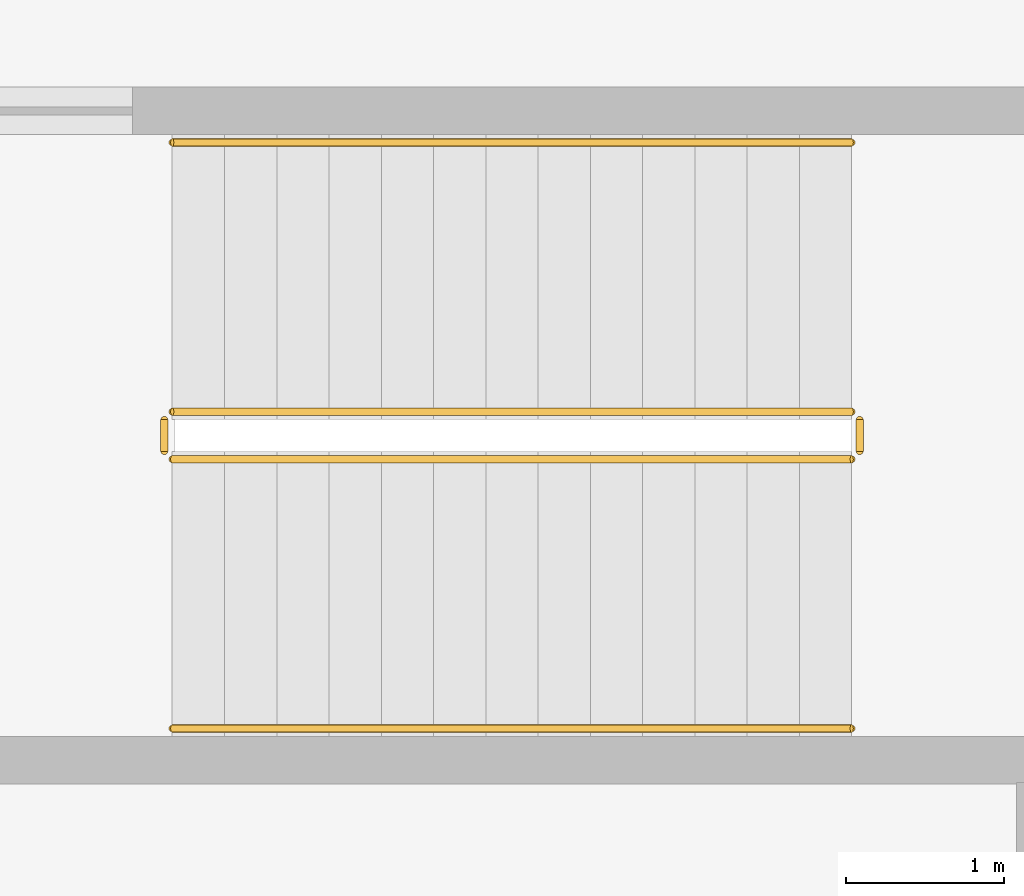
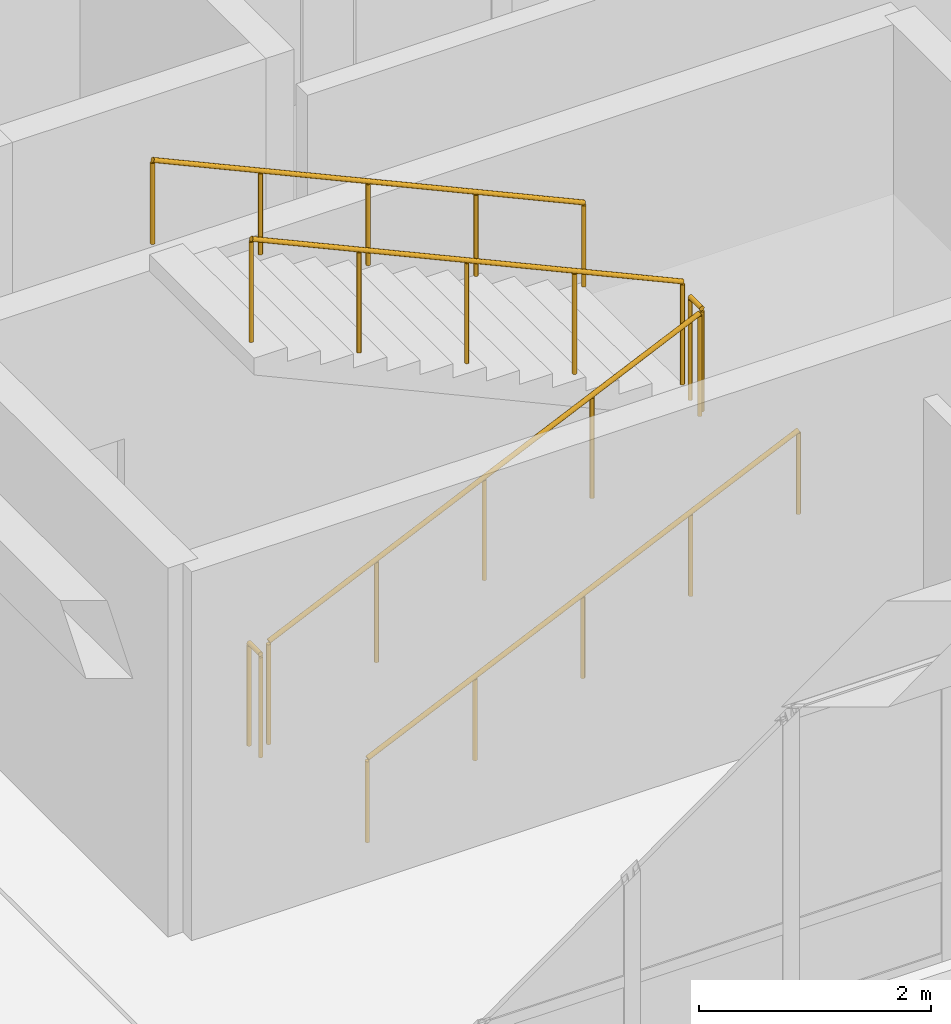
# One storey, part 89 of 89: 6 railings.
"""IFC4 building model written with IfcOpenShell, lengths in metres."""

from ifc_helpers import new_model, si_unit, direction, frame, origin, origin_2d, place, context, subcontext, project, spatial, circle, extrude, material, layer, layer_set, type_object, element, save


model = new_model("IFC4")

# Units and contexts
model_context = context("Model", 3, precision=1e-05, world=origin(), true_north=direction((0.0, 1.0)))
body_context = subcontext(model_context, "Body", "Model", "MODEL_VIEW")
ifc_project = project(units=[si_unit("LENGTHUNIT", "METRE"), si_unit("AREAUNIT", "SQUARE_METRE"), si_unit("VOLUMEUNIT", "CUBIC_METRE"), si_unit("PLANEANGLEUNIT", "RADIAN"), si_unit("MASSUNIT", "GRAM", prefix="KILO")], contexts=[model_context])

# Site, building, storey
site_placement = place(None, origin())
site = spatial("IfcSite", under=ifc_project, at=site_placement, CompositionType="ELEMENT")
building_placement = place(site_placement, origin())
building = spatial("IfcBuilding", under=site, at=building_placement, Name="Malvenik Polytechnic", CompositionType="ELEMENT")
storey_placement = place(building_placement, frame((0.0, 0.0, 13.5)))
storey = spatial("IfcBuildingStorey", under=building, at=storey_placement, Name="L03", CompositionType="ELEMENT", Elevation=13.5)

# Railings
ifc_material_1 = material(Name="Painted galvanised steel stair well balustrade 1100mm", Category="steel")
ifc_layer_1 = layer(ifc_material_1, 0.050048828125)
ifc_layer_set_1 = layer_set([ifc_layer_1], Name="Painted galvanised steel stair well balustrade 1100mm")
railing_type_1 = type_object("IfcRailingType", Name="ARC-RL-STGD", PredefinedType="BALUSTRADE", material=ifc_layer_set_1)
railing_1_placement = place(storey_placement, frame((95.39990234375, 120.89990234375, 0.14990234375)))
element("IfcRailing", 1, at=railing_1_placement, inside=storey, type_object=railing_type_1, Name="L03 ST-03 stair guard 1", PredefinedType="BALUSTRADE", context=body_context, shape_type="SweptSolid", body=[
    extrude(circle(Radius=0.02392578125, at=origin_2d()), frame((0.0, 0.0, 1.076171875), z_axis=(0.910352283233, 0.0, 0.413834170184), x_axis=(0.0, 1.0, 0.0)), (0.0, 0.0, 1.0), 4.71240234375),
    extrude(circle(Radius=0.02099609375, at=origin_2d()), origin(), (0.0, 0.0, 1.0), 1.052001953125),
    extrude(circle(Radius=0.02099609375, at=origin_2d()), frame((1.072509765625, 0.0, 0.487548828125)), (0.0, 0.0, 1.0), 1.052001953125),
    extrude(circle(Radius=0.02099609375, at=origin_2d()), frame((2.14501953125, 0.0, 0.97509765625)), (0.0, 0.0, 1.0), 1.052001953125),
    extrude(circle(Radius=0.02099609375, at=origin_2d()), frame((3.217529296875, 0.0, 1.462646484375)), (0.0, 0.0, 1.0), 1.052001953125),
    extrude(circle(Radius=0.02099609375, at=origin_2d()), frame((4.2900390625, 0.0, 1.9501953125)), (0.0, 0.0, 1.0), 1.052001953125),
])
railing_2_placement = place(storey_placement, frame((99.739990234375, 120.949951171875, 2.10009765625)))
element("IfcRailing", 2, at=railing_2_placement, inside=storey, type_object=railing_type_1, Name="L03 ST-03 stair guard 2", PredefinedType="BALUSTRADE", context=body_context, shape_type="SweptSolid", body=[
    extrude(circle(Radius=0.02392578125, at=origin_2d()), frame((0.0, 0.0, 1.076171875), z_axis=(0.0, 1.0, 0.0), x_axis=(-1.0, 0.0, 0.0)), (0.0, 0.0, 1.0), 0.199951171875),
    extrude(circle(Radius=0.02099609375, at=origin_2d()), origin(), (0.0, 0.0, 1.0), 1.052001953125),
    extrude(circle(Radius=0.02099609375, at=origin_2d()), frame((0.0, 0.199951171875, 0.0)), (0.0, 0.0, 1.0), 1.052001953125),
])
railing_3_placement = place(storey_placement, frame((99.68994140625, 121.199951171875, 2.25)))
element("IfcRailing", 3, at=railing_3_placement, inside=storey, type_object=railing_type_1, Name="L03 ST-03 stair guard 3", PredefinedType="BALUSTRADE", context=body_context, shape_type="SweptSolid", body=[
    extrude(circle(Radius=0.02392578125, at=origin_2d()), frame((0.0, 0.0, 1.076171875), z_axis=(-0.910371800137, 0.0, 0.413791234219), x_axis=(0.0, -1.0, 0.0)), (0.0, 0.0, 1.0), 4.71240234375),
    extrude(circle(Radius=0.02099609375, at=origin_2d()), origin(), (0.0, 0.0, 1.0), 1.052001953125),
    extrude(circle(Radius=0.02099609375, at=origin_2d()), frame((-1.072509765625, 0.0, 0.487548828125)), (0.0, 0.0, 1.0), 1.052001953125),
    extrude(circle(Radius=0.02099609375, at=origin_2d()), frame((-2.14501953125, 0.0, 0.97509765625)), (0.0, 0.0, 1.0), 1.052001953125),
    extrude(circle(Radius=0.02099609375, at=origin_2d()), frame((-3.217529296875, 0.0, 1.46240234375)), (0.0, 0.0, 1.0), 1.052001953125),
    extrude(circle(Radius=0.02099609375, at=origin_2d()), frame((-4.2900390625, 0.0, 1.949951171875)), (0.0, 0.0, 1.0), 1.052001953125),
])
railing_4_placement = place(storey_placement, frame((95.35009765625, 120.949951171875, 0.0)))
element("IfcRailing", 4, at=railing_4_placement, inside=storey, type_object=railing_type_1, Name="L03 ST-03 stair guard 4", PredefinedType="BALUSTRADE", context=body_context, shape_type="SweptSolid", body=[
    extrude(circle(Radius=0.02392578125, at=origin_2d()), frame((0.0, 0.0, 1.076171875), z_axis=(0.0, 1.0, 0.0), x_axis=(-1.0, 0.0, 0.0)), (0.0, 0.0, 1.0), 0.199951171875),
    extrude(circle(Radius=0.02099609375, at=origin_2d()), origin(), (0.0, 0.0, 1.0), 1.052001953125),
    extrude(circle(Radius=0.02099609375, at=origin_2d()), frame((0.0, 0.199951171875, 0.0)), (0.0, 0.0, 1.0), 1.052001953125),
])
ifc_material_2 = material(Name="Brushed stainless steel 1.4301 stair wall handrail", Category="steel")
ifc_layer_2 = layer(ifc_material_2, 0.044921875)
ifc_layer_set_2 = layer_set([ifc_layer_2], Name="Brushed stainless steel 1.4301 stair wall handrail")
railing_type_2 = type_object("IfcRailingType", Name="ARC-RL-STHR", PredefinedType="HANDRAIL", material=ifc_layer_set_2)
railing_5_placement = place(storey_placement, frame((95.39990234375, 119.199951171875, 0.14990234375)))
element("IfcRailing", 5, at=railing_5_placement, inside=storey, type_object=railing_type_2, Name="L03 ST-03 stair handrail 1", PredefinedType="HANDRAIL", context=body_context, shape_type="SweptSolid", body=[
    extrude(circle(Radius=0.02392578125, at=origin_2d()), frame((0.0, 0.0, 0.8759765625), z_axis=(0.910352283233, 0.0, 0.413834170184), x_axis=(0.0, 1.0, 0.0)), (0.0, 0.0, 1.0), 4.71240234375),
    extrude(circle(Radius=0.02099609375, at=origin_2d()), origin(), (0.0, 0.0, 1.0), 0.851806640625),
    extrude(circle(Radius=0.02099609375, at=origin_2d()), frame((1.072509765625, 0.0, 0.487548828125)), (0.0, 0.0, 1.0), 0.851806640625),
    extrude(circle(Radius=0.02099609375, at=origin_2d()), frame((2.14501953125, 0.0, 0.97509765625)), (0.0, 0.0, 1.0), 0.851806640625),
    extrude(circle(Radius=0.02099609375, at=origin_2d()), frame((3.217529296875, 0.0, 1.462646484375)), (0.0, 0.0, 1.0), 0.851806640625),
    extrude(circle(Radius=0.02099609375, at=origin_2d()), frame((4.2900390625, 0.0, 1.9501953125)), (0.0, 0.0, 1.0), 0.851806640625),
])
railing_6_placement = place(storey_placement, frame((99.68994140625, 122.89990234375, 2.25)))
element("IfcRailing", 6, at=railing_6_placement, inside=storey, type_object=railing_type_2, Name="L03 ST-03 stair handrail 2", PredefinedType="HANDRAIL", context=body_context, shape_type="SweptSolid", body=[
    extrude(circle(Radius=0.02392578125, at=origin_2d()), frame((0.0, 0.0, 0.8759765625), z_axis=(-0.910371800137, 0.0, 0.413791234219), x_axis=(0.0, -1.0, 0.0)), (0.0, 0.0, 1.0), 4.71240234375),
    extrude(circle(Radius=0.02099609375, at=origin_2d()), origin(), (0.0, 0.0, 1.0), 0.851806640625),
    extrude(circle(Radius=0.02099609375, at=origin_2d()), frame((-1.072509765625, 0.0, 0.487548828125)), (0.0, 0.0, 1.0), 0.851806640625),
    extrude(circle(Radius=0.02099609375, at=origin_2d()), frame((-2.14501953125, 0.0, 0.97509765625)), (0.0, 0.0, 1.0), 0.851806640625),
    extrude(circle(Radius=0.02099609375, at=origin_2d()), frame((-3.217529296875, 0.0, 1.46240234375)), (0.0, 0.0, 1.0), 0.851806640625),
    extrude(circle(Radius=0.02099609375, at=origin_2d()), frame((-4.2900390625, 0.0, 1.949951171875)), (0.0, 0.0, 1.0), 0.851806640625),
])

save(model, "model.ifc")
